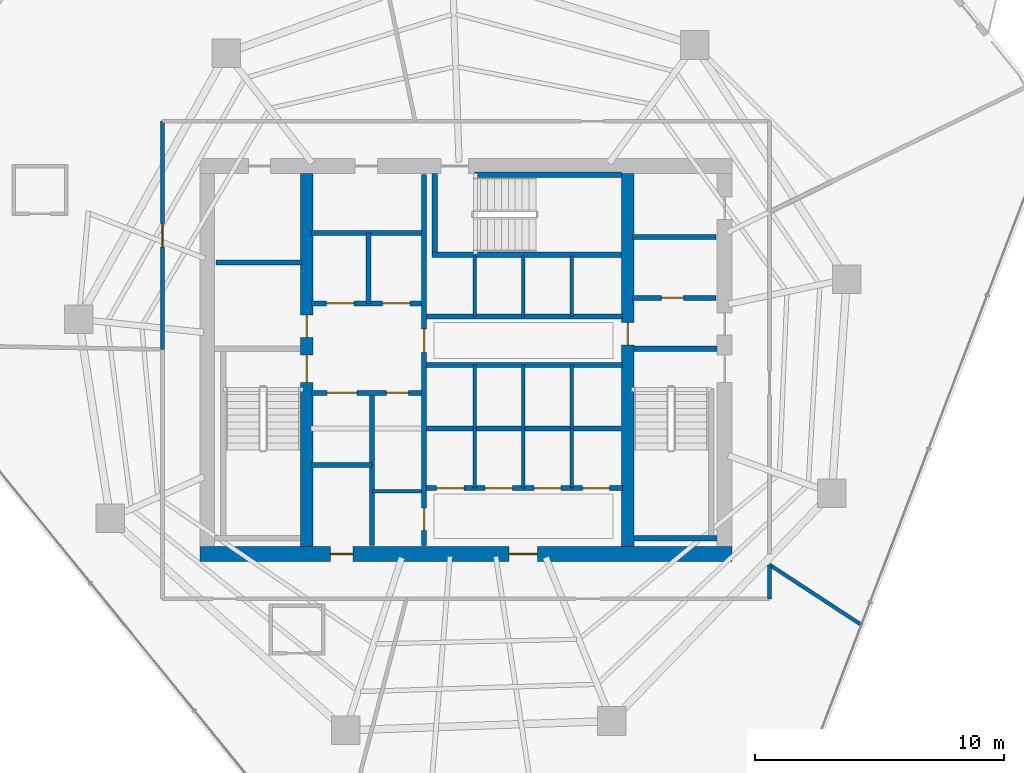
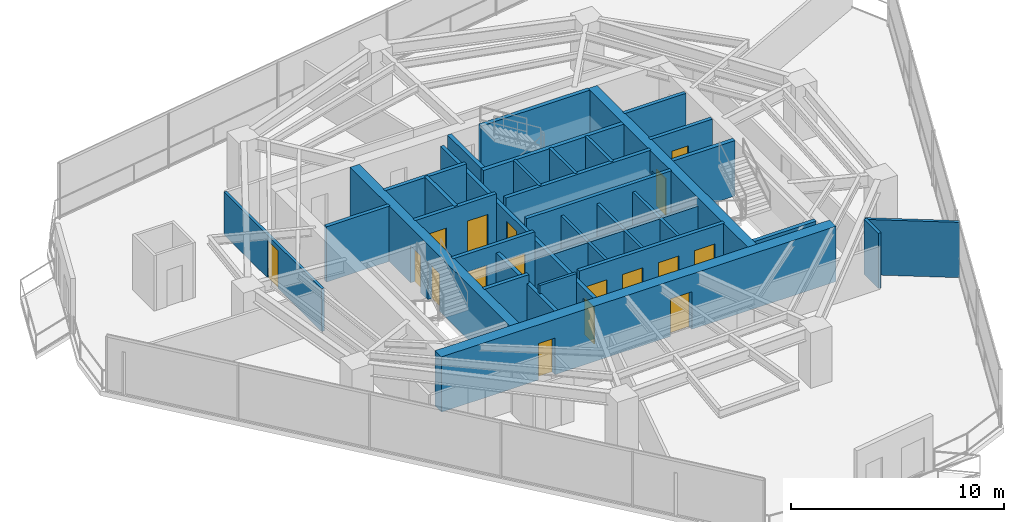
# One storey, part 24 of 27: 35 walls, 17 doors, 17 openings.
"""IFC4 building model written with IfcOpenShell, lengths in metres."""

from ifc_helpers import new_model, si_unit, direction, frame, frame_2d, origin, place, context, subcontext, project, spatial, rectangle, extrude, material, layer, layer_set, type_object, element, fill, save


model = new_model("IFC4")

# Units and contexts
model_context = context("Model", 3, precision=1e-05, world=origin(), true_north=direction((0.0, 1.0)))
body_context = subcontext(model_context, "Body", "Model", "MODEL_VIEW")
ifc_project = project(units=[si_unit("LENGTHUNIT", "METRE"), si_unit("AREAUNIT", "SQUARE_METRE"), si_unit("VOLUMEUNIT", "CUBIC_METRE"), si_unit("PLANEANGLEUNIT", "RADIAN"), si_unit("MASSUNIT", "GRAM", prefix="KILO")], contexts=[model_context])

# Site, building, storey
site_placement = place(None, origin())
site = spatial("IfcSite", under=ifc_project, at=site_placement, CompositionType="ELEMENT")
building_placement = place(site_placement, origin())
building = spatial("IfcBuilding", under=site, at=building_placement, Name="Qarnah Convention Tower", CompositionType="ELEMENT")
storey_placement = place(building_placement, frame((0.0, 0.0, 100.5)))
storey = spatial("IfcBuildingStorey", under=building, at=storey_placement, Name="L26", CompositionType="ELEMENT", Elevation=100.5)

# Wall, openings, doors
ifc_material_1 = material(Name="Concrete C60/75", Category="concrete")
ifc_layer_1 = layer(ifc_material_1, 0.60009765625)
ifc_layer_set_1 = layer_set([ifc_layer_1], Name="Concrete C60/75")
wall_type_1 = type_object("IfcWallType", Name="WL-CORE-600", PredefinedType="SHEAR", material=ifc_layer_set_1)
wall_1_placement = place(storey_placement, frame((26.5, 18.60009765625, 0.0), z_axis=(0.0, 0.0, 1.0), x_axis=(1.0, 0.0, 0.0)))
wall_1 = element("IfcWall", 1, at=wall_1_placement, inside=storey, type_object=wall_type_1, Name="L26 core south shear wall", PredefinedType="SHEAR", context=body_context, shape_type="SweptSolid", body=[
    extrude(rectangle(XDim=21.39990234375, YDim=0.60009765625, at=frame_2d((10.699951171875, 0.0))), origin(), (0.0, 0.0, 1.0), 3.169921875),
])
opening_1_placement = place(wall_1_placement, frame((12.425048828125, 0.0, 0.0)))
opening_1 = element("IfcOpeningElement", 2, at=opening_1_placement, cuts=wall_1, Name="Opening D-2607", PredefinedType="OPENING", context=body_context, shape_type="SweptSolid", body=[
    extrude(rectangle(XDim=1.14990234375, YDim=2.14990234375, at=frame_2d((0.574951171875, 1.074951171875))), frame((0.0, 0.31005859375, 0.0), z_axis=(0.0, -1.0, 0.0), x_axis=(1.0, 0.0, 0.0)), (0.0, 0.0, 1.0), 0.6201171875),
])
opening_2_placement = place(wall_1_placement, frame((5.25, 0.0, 0.0)))
opening_2 = element("IfcOpeningElement", 3, at=opening_2_placement, cuts=wall_1, Name="Opening D-2613", PredefinedType="OPENING", context=body_context, shape_type="SweptSolid", body=[
    extrude(rectangle(XDim=0.89990234375, YDim=2.10009765625, at=frame_2d((0.449951171875, 1.050048828125))), frame((0.0, 0.31005859375, 0.0), z_axis=(0.0, -1.0, 0.0), x_axis=(1.0, 0.0, 0.0)), (0.0, 0.0, 1.0), 0.6201171875),
])
ifc_material_2 = material(Name="Structural steel S355JR", Category="steel")
door_type_1 = type_object("IfcDoorType", Name="DT-LOBBY-1150", OperationType="NOTDEFINED", PredefinedType="DOOR", material=ifc_material_2)
door_1_placement = place(opening_1_placement, origin())
door_1 = element("IfcDoor", 4, at=door_1_placement, inside=storey, type_object=door_type_1, Name="Door D-2607", OperationType="SINGLE_SWING_RIGHT", OverallHeight=2.14990234375, OverallWidth=1.14990234375, PredefinedType="DOOR", context=body_context, shape_type="SweptSolid", body=[
    extrude(rectangle(XDim=1.14990234375, YDim=2.14990234375, at=frame_2d((0.574951171875, 1.074951171875))), frame((0.0, 0.02490234375, 0.0), z_axis=(0.0, -1.0, 0.0), x_axis=(1.0, 0.0, 0.0)), (0.0, 0.0, 1.0), 0.050048828125),
])
fill(opening_1, door_1)
door_type_2 = type_object("IfcDoorType", Name="DT-RISER-900", OperationType="NOTDEFINED", PredefinedType="DOOR", material=ifc_material_2)
door_2_placement = place(opening_2_placement, origin())
door_2 = element("IfcDoor", 5, at=door_2_placement, inside=storey, type_object=door_type_2, Name="Door D-2613", OperationType="SINGLE_SWING_RIGHT", OverallHeight=2.10009765625, OverallWidth=0.89990234375, PredefinedType="DOOR", context=body_context, shape_type="SweptSolid", body=[
    extrude(rectangle(XDim=0.89990234375, YDim=2.10009765625, at=frame_2d((0.449951171875, 1.050048828125))), frame((0.0, 0.02490234375, 0.0), z_axis=(0.0, -1.0, 0.0), x_axis=(1.0, 0.0, 0.0)), (0.0, 0.0, 1.0), 0.050048828125),
])
fill(opening_2, door_2)

ifc_layer_2 = layer(ifc_material_1, 0.5)
ifc_layer_set_2 = layer_set([ifc_layer_2], Name="Concrete C60/75")
wall_type_2 = type_object("IfcWallType", Name="WL-CORE-INT-400", PredefinedType="SHEAR", material=ifc_layer_set_2)
wall_2_placement = place(storey_placement, frame((30.800048828125, 18.89990234375, 0.0), z_axis=(0.0, 0.0, 1.0), x_axis=(0.0, 1.0, 0.0)))
wall_2 = element("IfcWall", 6, at=wall_2_placement, inside=storey, type_object=wall_type_2, Name="L26 core west spine shear wall", PredefinedType="SHEAR", context=body_context, shape_type="SweptSolid", body=[
    extrude(rectangle(XDim=15.0, YDim=0.5, at=frame_2d((7.5, 0.0))), origin(), (0.0, 0.0, 1.0), 3.169921875),
])
opening_3_placement = place(wall_2_placement, frame((6.60009765625, 0.0, 0.0)))
opening_3 = element("IfcOpeningElement", 7, at=opening_3_placement, cuts=wall_2, Name="Opening D-2601", PredefinedType="OPENING", context=body_context, shape_type="SweptSolid", body=[
    extrude(rectangle(XDim=1.10009765625, YDim=2.14990234375, at=frame_2d((0.550048828125, 1.074951171875))), frame((0.0, 0.260009765625, 0.0), z_axis=(0.0, -1.0, 0.0), x_axis=(1.0, 0.0, 0.0)), (0.0, 0.0, 1.0), 0.52001953125),
])
opening_4_placement = place(wall_2_placement, frame((8.39990234375, 0.0, 0.0)))
opening_4 = element("IfcOpeningElement", 8, at=opening_4_placement, cuts=wall_2, Name="Opening D-2608", PredefinedType="OPENING", context=body_context, shape_type="SweptSolid", body=[
    extrude(rectangle(XDim=0.89990234375, YDim=2.10009765625, at=frame_2d((0.449951171875, 1.050048828125))), frame((0.0, 0.260009765625, 0.0), z_axis=(0.0, -1.0, 0.0), x_axis=(1.0, 0.0, 0.0)), (0.0, 0.0, 1.0), 0.52001953125),
])
door_3_placement = place(opening_4_placement, origin())
door_3 = element("IfcDoor", 9, at=door_3_placement, inside=storey, type_object=door_type_2, Name="Door D-2608", OperationType="SINGLE_SWING_LEFT", OverallHeight=2.10009765625, OverallWidth=0.89990234375, PredefinedType="DOOR", context=body_context, shape_type="SweptSolid", body=[
    extrude(rectangle(XDim=0.89990234375, YDim=2.10009765625, at=frame_2d((0.449951171875, 1.050048828125))), frame((0.0, 0.02490234375, 0.0), z_axis=(0.0, -1.0, 0.0), x_axis=(1.0, 0.0, 0.0)), (0.0, 0.0, 1.0), 0.050048828125),
])
fill(opening_4, door_3)
door_type_3 = type_object("IfcDoorType", Name="DT-STAIR-1100", OperationType="NOTDEFINED", PredefinedType="DOOR", material=ifc_material_2)
door_4_placement = place(opening_3_placement, origin())
door_4 = element("IfcDoor", 10, at=door_4_placement, inside=storey, type_object=door_type_3, Name="Door D-2601", OperationType="SINGLE_SWING_RIGHT", OverallHeight=2.14990234375, OverallWidth=1.10009765625, PredefinedType="DOOR", context=body_context, shape_type="SweptSolid", body=[
    extrude(rectangle(XDim=1.10009765625, YDim=2.14990234375, at=frame_2d((0.550048828125, 1.074951171875))), frame((0.0, 0.02490234375, 0.0), z_axis=(0.0, -1.0, 0.0), x_axis=(1.0, 0.0, 0.0)), (0.0, 0.0, 1.0), 0.050048828125),
])
fill(opening_3, door_4)

# Wall, opening, door
wall_3_placement = place(storey_placement, frame((43.699951171875, 18.89990234375, 0.0), z_axis=(0.0, 0.0, 1.0), x_axis=(0.0, 1.0, 0.0)))
wall_3 = element("IfcWall", 11, at=wall_3_placement, inside=storey, type_object=wall_type_2, Name="L26 core east spine shear wall", PredefinedType="SHEAR", context=body_context, shape_type="SweptSolid", body=[
    extrude(rectangle(XDim=15.0, YDim=0.5, at=frame_2d((7.5, 0.0))), origin(), (0.0, 0.0, 1.0), 3.169921875),
])
opening_5_placement = place(wall_3_placement, frame((8.10009765625, 0.0, 0.0)))
opening_5 = element("IfcOpeningElement", 12, at=opening_5_placement, cuts=wall_3, Name="Opening D-2605", PredefinedType="OPENING", context=body_context, shape_type="SweptSolid", body=[
    extrude(rectangle(XDim=0.89990234375, YDim=2.10009765625, at=frame_2d((0.449951171875, 1.050048828125))), frame((0.0, 0.260009765625, 0.0), z_axis=(0.0, -1.0, 0.0), x_axis=(1.0, 0.0, 0.0)), (0.0, 0.0, 1.0), 0.52001953125),
])
door_5_placement = place(opening_5_placement, origin())
door_5 = element("IfcDoor", 13, at=door_5_placement, inside=storey, type_object=door_type_2, Name="Door D-2605", OperationType="SINGLE_SWING_RIGHT", OverallHeight=2.10009765625, OverallWidth=0.89990234375, PredefinedType="DOOR", context=body_context, shape_type="SweptSolid", body=[
    extrude(rectangle(XDim=0.89990234375, YDim=2.10009765625, at=frame_2d((0.449951171875, 1.050048828125))), frame((0.0, 0.02490234375, 0.0), z_axis=(0.0, -1.0, 0.0), x_axis=(1.0, 0.0, 0.0)), (0.0, 0.0, 1.0), 0.050048828125),
])
fill(opening_5, door_5)

# Wall
ifc_material_3 = material(Name="Concrete C45/55", Category="concrete")
ifc_layer_3 = layer(ifc_material_3, 0.199951171875)
ifc_layer_set_3 = layer_set([ifc_layer_3], Name="Concrete C45/55")
wall_type_3 = type_object("IfcWallType", Name="WL-CORE-PART-200", PredefinedType="SOLIDWALL", material=ifc_layer_set_3)
wall_4_placement = place(storey_placement, frame((27.14990234375, 30.320068359375, 0.0), z_axis=(0.0, 0.0, 1.0), x_axis=(1.0, 0.0, 0.0)))
element("IfcWall", 14, at=wall_4_placement, inside=storey, type_object=wall_type_3, Name="L26 interior wall IW-L26-ELRN", PredefinedType="SOLIDWALL", context=body_context, shape_type="SweptSolid", body=[
    extrude(rectangle(XDim=3.4501953125, YDim=0.199951171875, at=frame_2d((1.72509765625, 0.0))), origin(), (0.0, 0.0, 1.0), 3.169921875),
])

# Wall, opening, door
wall_5_placement = place(storey_placement, frame((43.89990234375, 28.89990234375, 0.0), z_axis=(0.0, 0.0, 1.0), x_axis=(1.0, 0.0, 0.0)))
wall_5 = element("IfcWall", 15, at=wall_5_placement, inside=storey, type_object=wall_type_3, Name="L26 interior wall IW-L26-EVSTN", PredefinedType="SOLIDWALL", context=body_context, shape_type="SweptSolid", body=[
    extrude(rectangle(XDim=3.35009765625, YDim=0.199951171875, at=frame_2d((1.675048828125, 0.0))), origin(), (0.0, 0.0, 1.0), 3.169921875),
])
opening_6_placement = place(wall_5_placement, frame((1.14990234375, 0.0, 0.0)))
opening_6 = element("IfcOpeningElement", 16, at=opening_6_placement, cuts=wall_5, Name="Opening D-2611", PredefinedType="OPENING", context=body_context, shape_type="SweptSolid", body=[
    extrude(rectangle(XDim=0.89990234375, YDim=2.10009765625, at=frame_2d((0.449951171875, 1.050048828125))), frame((0.0, 0.10986328125, 0.0), z_axis=(0.0, -1.0, 0.0), x_axis=(1.0, 0.0, 0.0)), (0.0, 0.0, 1.0), 0.219970703125),
])
door_6_placement = place(opening_6_placement, origin())
door_6 = element("IfcDoor", 17, at=door_6_placement, inside=storey, type_object=door_type_2, Name="Door D-2611", OperationType="SINGLE_SWING_RIGHT", OverallHeight=2.10009765625, OverallWidth=0.89990234375, PredefinedType="DOOR", context=body_context, shape_type="SweptSolid", body=[
    extrude(rectangle(XDim=0.89990234375, YDim=2.10009765625, at=frame_2d((0.449951171875, 1.050048828125))), frame((0.0, 0.02490234375, 0.0), z_axis=(0.0, -1.0, 0.0), x_axis=(1.0, 0.0, 0.0)), (0.0, 0.0, 1.0), 0.050048828125),
])
fill(opening_6, door_6)

# Wall
wall_6_placement = place(storey_placement, frame((43.89990234375, 31.35009765625, 0.0), z_axis=(0.0, 0.0, 1.0), x_axis=(1.0, 0.0, 0.0)))
element("IfcWall", 18, at=wall_6_placement, inside=storey, type_object=wall_type_3, Name="L26 interior wall IW-L26-WTRN", PredefinedType="SOLIDWALL", context=body_context, shape_type="SweptSolid", body=[
    extrude(rectangle(XDim=3.35009765625, YDim=0.199951171875, at=frame_2d((1.675048828125, 0.0))), origin(), (0.0, 0.0, 1.0), 3.169921875),
])

# Wall, openings, doors
wall_7_placement = place(storey_placement, frame((35.52001953125, 18.949951171875, 0.0), z_axis=(0.0, 0.0, 1.0), x_axis=(0.0, 1.0, 0.0)))
wall_7 = element("IfcWall", 19, at=wall_7_placement, inside=storey, type_object=wall_type_3, Name="L26 interior wall IW-L26-CSP", PredefinedType="SOLIDWALL", context=body_context, shape_type="SweptSolid", body=[
    extrude(rectangle(XDim=14.900146484375, YDim=0.199951171875, at=frame_2d((7.4501953125, 0.0))), origin(), (0.0, 0.0, 1.0), 2.69091796875),
])
opening_7_placement = place(wall_7_placement, frame((7.7548828125, 0.0, 0.0)))
opening_7 = element("IfcOpeningElement", 20, at=opening_7_placement, cuts=wall_7, Name="Opening D-2604", PredefinedType="OPENING", context=body_context, shape_type="SweptSolid", body=[
    extrude(rectangle(XDim=0.949951171875, YDim=2.14990234375, at=frame_2d((0.47509765625, 1.074951171875))), frame((0.0, 0.10986328125, 0.0), z_axis=(0.0, -1.0, 0.0), x_axis=(1.0, 0.0, 0.0)), (0.0, 0.0, 1.0), 0.219970703125),
])
opening_8_placement = place(wall_7_placement, frame((0.60009765625, 0.0, 0.0)))
opening_8 = element("IfcOpeningElement", 21, at=opening_8_placement, cuts=wall_7, Name="Opening D-2614", PredefinedType="OPENING", context=body_context, shape_type="SweptSolid", body=[
    extrude(rectangle(XDim=0.89990234375, YDim=2.10009765625, at=frame_2d((0.449951171875, 1.050048828125))), frame((0.0, 0.10986328125, 0.0), z_axis=(0.0, -1.0, 0.0), x_axis=(1.0, 0.0, 0.0)), (0.0, 0.0, 1.0), 0.219970703125),
])
ifc_material_4 = material(Name="Oak timber veneer", Category="wood")
door_type_4 = type_object("IfcDoorType", Name="DT-HOTEL-950", OperationType="NOTDEFINED", PredefinedType="DOOR", material=ifc_material_4)
door_7_placement = place(opening_7_placement, origin())
door_7 = element("IfcDoor", 22, at=door_7_placement, inside=storey, type_object=door_type_4, Name="Door D-2604", OperationType="SINGLE_SWING_LEFT", OverallHeight=2.14990234375, OverallWidth=0.949951171875, PredefinedType="DOOR", context=body_context, shape_type="SweptSolid", body=[
    extrude(rectangle(XDim=0.949951171875, YDim=2.14990234375, at=frame_2d((0.47509765625, 1.074951171875))), frame((0.0, 0.02490234375, 0.0), z_axis=(0.0, -1.0, 0.0), x_axis=(1.0, 0.0, 0.0)), (0.0, 0.0, 1.0), 0.050048828125),
])
fill(opening_7, door_7)
door_8_placement = place(opening_8_placement, origin())
door_8 = element("IfcDoor", 23, at=door_8_placement, inside=storey, type_object=door_type_2, Name="Door D-2614", OperationType="SINGLE_SWING_LEFT", OverallHeight=2.10009765625, OverallWidth=0.89990234375, PredefinedType="DOOR", context=body_context, shape_type="SweptSolid", body=[
    extrude(rectangle(XDim=0.89990234375, YDim=2.10009765625, at=frame_2d((0.449951171875, 1.050048828125))), frame((0.0, 0.02490234375, 0.0), z_axis=(0.0, -1.0, 0.0), x_axis=(1.0, 0.0, 0.0)), (0.0, 0.0, 1.0), 0.050048828125),
])
fill(opening_8, door_8)

wall_8_placement = place(storey_placement, frame((31.0, 28.679931640625, 0.0), z_axis=(0.0, 0.0, 1.0), x_axis=(1.0, 0.0, 0.0)))
wall_8 = element("IfcWall", 24, at=wall_8_placement, inside=storey, type_object=wall_type_3, Name="L26 interior wall IW-L26-FFLS", PredefinedType="SOLIDWALL", context=body_context, shape_type="SweptSolid", body=[
    extrude(rectangle(XDim=4.419921875, YDim=0.199951171875, at=frame_2d((2.2099609375, 0.0))), origin(), (0.0, 0.0, 1.0), 3.169921875),
])
opening_9_placement = place(wall_8_placement, frame((0.60009765625, 0.0, 0.0)))
opening_9 = element("IfcOpeningElement", 25, at=opening_9_placement, cuts=wall_8, Name="Opening LD-2601", PredefinedType="OPENING", context=body_context, shape_type="SweptSolid", body=[
    extrude(rectangle(XDim=1.10009765625, YDim=2.14990234375, at=frame_2d((0.550048828125, 1.074951171875))), frame((0.0, 0.10986328125, 0.0), z_axis=(0.0, -1.0, 0.0), x_axis=(1.0, 0.0, 0.0)), (0.0, 0.0, 1.0), 0.219970703125),
])
opening_10_placement = place(wall_8_placement, frame((2.85009765625, 0.0, 0.0)))
opening_10 = element("IfcOpeningElement", 26, at=opening_10_placement, cuts=wall_8, Name="Opening LD-2602", PredefinedType="OPENING", context=body_context, shape_type="SweptSolid", body=[
    extrude(rectangle(XDim=1.10009765625, YDim=2.14990234375, at=frame_2d((0.550048828125, 1.074951171875))), frame((0.0, 0.10986328125, 0.0), z_axis=(0.0, -1.0, 0.0), x_axis=(1.0, 0.0, 0.0)), (0.0, 0.0, 1.0), 0.219970703125),
])
door_type_5 = type_object("IfcDoorType", Name="DT-LIFT-1100", OperationType="SLIDING_TO_LEFT", PredefinedType="DOOR", material=ifc_material_2)
door_9_placement = place(opening_9_placement, origin())
door_9 = element("IfcDoor", 27, at=door_9_placement, inside=storey, type_object=door_type_5, Name="Door LD-2601", OperationType="SLIDING_TO_LEFT", OverallHeight=2.14990234375, OverallWidth=1.10009765625, PredefinedType="DOOR", context=body_context, shape_type="SweptSolid", body=[
    extrude(rectangle(XDim=1.10009765625, YDim=2.14990234375, at=frame_2d((0.550048828125, 1.074951171875))), frame((0.0, 0.02490234375, 0.0), z_axis=(0.0, -1.0, 0.0), x_axis=(1.0, 0.0, 0.0)), (0.0, 0.0, 1.0), 0.050048828125),
])
fill(opening_9, door_9)
door_10_placement = place(opening_10_placement, origin())
door_10 = element("IfcDoor", 28, at=door_10_placement, inside=storey, type_object=door_type_5, Name="Door LD-2602", OperationType="SLIDING_TO_LEFT", OverallHeight=2.14990234375, OverallWidth=1.10009765625, PredefinedType="DOOR", context=body_context, shape_type="SweptSolid", body=[
    extrude(rectangle(XDim=1.10009765625, YDim=2.14990234375, at=frame_2d((0.550048828125, 1.074951171875))), frame((0.0, 0.02490234375, 0.0), z_axis=(0.0, -1.0, 0.0), x_axis=(1.0, 0.0, 0.0)), (0.0, 0.0, 1.0), 0.050048828125),
])
fill(opening_10, door_10)

# Walls
wall_9_placement = place(storey_placement, frame((31.0, 31.5, 0.0), z_axis=(0.0, 0.0, 1.0), x_axis=(1.0, 0.0, 0.0)))
element("IfcWall", 29, at=wall_9_placement, inside=storey, type_object=wall_type_3, Name="L26 interior wall IW-L26-FFLN", PredefinedType="SOLIDWALL", context=body_context, shape_type="SweptSolid", body=[
    extrude(rectangle(XDim=4.419921875, YDim=0.199951171875, at=frame_2d((2.2099609375, 0.0))), origin(), (0.0, 0.0, 1.0), 3.169921875),
])
wall_10_placement = place(storey_placement, frame((33.280029296875, 28.679931640625, 0.0), z_axis=(0.0, 0.0, 1.0), x_axis=(0.0, 1.0, 0.0)))
element("IfcWall", 30, at=wall_10_placement, inside=storey, type_object=wall_type_3, Name="L26 interior wall IW-L26-FFLM", PredefinedType="SOLIDWALL", context=body_context, shape_type="SweptSolid", body=[
    extrude(rectangle(XDim=2.820068359375, YDim=0.199951171875, at=frame_2d((1.41015625, 0.0))), origin(), (0.0, 0.0, 1.0), 3.169921875),
])

# Wall, openings, doors
wall_11_placement = place(storey_placement, frame((31.0, 25.080078125, 0.0), z_axis=(0.0, 0.0, 1.0), x_axis=(1.0, 0.0, 0.0)))
wall_11 = element("IfcWall", 31, at=wall_11_placement, inside=storey, type_object=wall_type_3, Name="L26 interior wall IW-L26-FFLBS", PredefinedType="SOLIDWALL", context=body_context, shape_type="SweptSolid", body=[
    extrude(rectangle(XDim=4.419921875, YDim=0.199951171875, at=frame_2d((2.2099609375, 0.0))), origin(), (0.0, 0.0, 1.0), 3.169921875),
])
opening_11_placement = place(wall_11_placement, frame((3.0, 0.0, 0.0)))
opening_11 = element("IfcOpeningElement", 32, at=opening_11_placement, cuts=wall_11, Name="Opening D-2615", PredefinedType="OPENING", context=body_context, shape_type="SweptSolid", body=[
    extrude(rectangle(XDim=0.89990234375, YDim=2.10009765625, at=frame_2d((0.449951171875, 1.050048828125))), frame((0.0, 0.10986328125, 0.0), z_axis=(0.0, -1.0, 0.0), x_axis=(1.0, 0.0, 0.0)), (0.0, 0.0, 1.0), 0.219970703125),
])
opening_12_placement = place(wall_11_placement, frame((0.6201171875, 0.0, 0.0)))
opening_12 = element("IfcOpeningElement", 33, at=opening_12_placement, cuts=wall_11, Name="Opening LD-2603", PredefinedType="OPENING", context=body_context, shape_type="SweptSolid", body=[
    extrude(rectangle(XDim=1.199951171875, YDim=2.14990234375, at=frame_2d((0.60009765625, 1.074951171875))), frame((0.0, 0.10986328125, 0.0), z_axis=(0.0, -1.0, 0.0), x_axis=(1.0, 0.0, 0.0)), (0.0, 0.0, 1.0), 0.219970703125),
])
door_type_6 = type_object("IfcDoorType", Name="DT-LIFT-1200", OperationType="SLIDING_TO_LEFT", PredefinedType="DOOR", material=ifc_material_2)
door_11_placement = place(opening_12_placement, origin())
door_11 = element("IfcDoor", 34, at=door_11_placement, inside=storey, type_object=door_type_6, Name="Door LD-2603", OperationType="SLIDING_TO_LEFT", OverallHeight=2.14990234375, OverallWidth=1.199951171875, PredefinedType="DOOR", context=body_context, shape_type="SweptSolid", body=[
    extrude(rectangle(XDim=1.199951171875, YDim=2.14990234375, at=frame_2d((0.60009765625, 1.074951171875))), frame((0.0, 0.02490234375, 0.0), z_axis=(0.0, -1.0, 0.0), x_axis=(1.0, 0.0, 0.0)), (0.0, 0.0, 1.0), 0.050048828125),
])
fill(opening_12, door_11)
door_12_placement = place(opening_11_placement, origin())
door_12 = element("IfcDoor", 35, at=door_12_placement, inside=storey, type_object=door_type_2, Name="Door D-2615", OperationType="SINGLE_SWING_RIGHT", OverallHeight=2.10009765625, OverallWidth=0.89990234375, PredefinedType="DOOR", context=body_context, shape_type="SweptSolid", body=[
    extrude(rectangle(XDim=0.89990234375, YDim=2.10009765625, at=frame_2d((0.449951171875, 1.050048828125))), frame((0.0, 0.02490234375, 0.0), z_axis=(0.0, -1.0, 0.0), x_axis=(1.0, 0.0, 0.0)), (0.0, 0.0, 1.0), 0.050048828125),
])
fill(opening_11, door_12)

# Walls
wall_12_placement = place(storey_placement, frame((33.419921875, 18.949951171875, 0.0), z_axis=(0.0, 0.0, 1.0), x_axis=(0.0, 1.0, 0.0)))
element("IfcWall", 36, at=wall_12_placement, inside=storey, type_object=wall_type_3, Name="L26 interior wall IW-L26-SVLE", PredefinedType="SOLIDWALL", context=body_context, shape_type="SweptSolid", body=[
    extrude(rectangle(XDim=6.130126953125, YDim=0.199951171875, at=frame_2d((3.06494140625, 0.0))), origin(), (0.0, 0.0, 1.0), 2.69091796875),
])
wall_13_placement = place(storey_placement, frame((31.0, 22.179931640625, 0.0), z_axis=(0.0, 0.0, 1.0), x_axis=(1.0, 0.0, 0.0)))
element("IfcWall", 37, at=wall_13_placement, inside=storey, type_object=wall_type_3, Name="L26 interior wall IW-L26-SVLS", PredefinedType="SOLIDWALL", context=body_context, shape_type="SweptSolid", body=[
    extrude(rectangle(XDim=2.419921875, YDim=0.199951171875, at=frame_2d((1.2099609375, 0.0))), origin(), (0.0, 0.0, 1.0), 3.169921875),
])
for number, where, z_axis, x_axis, name in (
    (38, (35.6201171875, 28.14990234375, 0.0), (0.0, 0.0, 1.0), (1.0, 0.0, 0.0), "L26 interior wall IW-L26-PHS"),
    (39, (35.6201171875, 26.199951171875, 0.0), (0.0, 0.0, 1.0), (1.0, 0.0, 0.0), "L26 interior wall IW-L26-PMN"),
):
    element("IfcWall", number, at=place(storey_placement, frame(where, z_axis=z_axis, x_axis=x_axis)), inside=storey, type_object=wall_type_3, Name=name, PredefinedType="SOLIDWALL", context=body_context, shape_type="SweptSolid", body=[
        extrude(rectangle(XDim=7.8798828125, YDim=0.199951171875, at=frame_2d((3.93994140625, 0.0))), origin(), (0.0, 0.0, 1.0), 3.169921875),
    ])
wall_14_placement = place(storey_placement, frame((35.6201171875, 23.64990234375, 0.0), z_axis=(0.0, 0.0, 1.0), x_axis=(1.0, 0.0, 0.0)))
element("IfcWall", 40, at=wall_14_placement, inside=storey, type_object=wall_type_3, Name="L26 interior wall IW-L26-PMPL", PredefinedType="SOLIDWALL", context=body_context, shape_type="SweptSolid", body=[
    extrude(rectangle(XDim=7.8798828125, YDim=0.199951171875, at=frame_2d((3.93994140625, 0.0))), origin(), (0.0, 0.0, 1.0), 2.69091796875),
])

# Wall, openings, doors
wall_15_placement = place(storey_placement, frame((35.6201171875, 21.25, 0.0), z_axis=(0.0, 0.0, 1.0), x_axis=(1.0, 0.0, 0.0)))
wall_15 = element("IfcWall", 41, at=wall_15_placement, inside=storey, type_object=wall_type_3, Name="L26 interior wall IW-L26-PLS", PredefinedType="SOLIDWALL", context=body_context, shape_type="SweptSolid", body=[
    extrude(rectangle(XDim=7.8798828125, YDim=0.199951171875, at=frame_2d((3.93994140625, 0.0))), origin(), (0.0, 0.0, 1.0), 3.169921875),
])
opening_13_placement = place(wall_15_placement, frame((0.405029296875, 0.0, 0.0)))
opening_13 = element("IfcOpeningElement", 42, at=opening_13_placement, cuts=wall_15, Name="Opening LD-2604", PredefinedType="OPENING", context=body_context, shape_type="SweptSolid", body=[
    extrude(rectangle(XDim=1.10009765625, YDim=2.14990234375, at=frame_2d((0.550048828125, 1.074951171875))), frame((0.0, 0.10986328125, 0.0), z_axis=(0.0, -1.0, 0.0), x_axis=(1.0, 0.0, 0.0)), (0.0, 0.0, 1.0), 0.219970703125),
])
opening_14_placement = place(wall_15_placement, frame((2.35498046875, 0.0, 0.0)))
opening_14 = element("IfcOpeningElement", 43, at=opening_14_placement, cuts=wall_15, Name="Opening LD-2605", PredefinedType="OPENING", context=body_context, shape_type="SweptSolid", body=[
    extrude(rectangle(XDim=1.10009765625, YDim=2.14990234375, at=frame_2d((0.550048828125, 1.074951171875))), frame((0.0, 0.10986328125, 0.0), z_axis=(0.0, -1.0, 0.0), x_axis=(1.0, 0.0, 0.0)), (0.0, 0.0, 1.0), 0.219970703125),
])
opening_15_placement = place(wall_15_placement, frame((4.304931640625, 0.0, 0.0)))
opening_15 = element("IfcOpeningElement", 44, at=opening_15_placement, cuts=wall_15, Name="Opening LD-2606", PredefinedType="OPENING", context=body_context, shape_type="SweptSolid", body=[
    extrude(rectangle(XDim=1.10009765625, YDim=2.14990234375, at=frame_2d((0.550048828125, 1.074951171875))), frame((0.0, 0.10986328125, 0.0), z_axis=(0.0, -1.0, 0.0), x_axis=(1.0, 0.0, 0.0)), (0.0, 0.0, 1.0), 0.219970703125),
])
opening_16_placement = place(wall_15_placement, frame((6.2548828125, 0.0, 0.0)))
opening_16 = element("IfcOpeningElement", 45, at=opening_16_placement, cuts=wall_15, Name="Opening LD-2607", PredefinedType="OPENING", context=body_context, shape_type="SweptSolid", body=[
    extrude(rectangle(XDim=1.10009765625, YDim=2.14990234375, at=frame_2d((0.550048828125, 1.074951171875))), frame((0.0, 0.10986328125, 0.0), z_axis=(0.0, -1.0, 0.0), x_axis=(1.0, 0.0, 0.0)), (0.0, 0.0, 1.0), 0.219970703125),
])
door_13_placement = place(opening_13_placement, origin())
door_13 = element("IfcDoor", 46, at=door_13_placement, inside=storey, type_object=door_type_5, Name="Door LD-2604", OperationType="SLIDING_TO_LEFT", OverallHeight=2.14990234375, OverallWidth=1.10009765625, PredefinedType="DOOR", context=body_context, shape_type="SweptSolid", body=[
    extrude(rectangle(XDim=1.10009765625, YDim=2.14990234375, at=frame_2d((0.550048828125, 1.074951171875))), frame((0.0, 0.02490234375, 0.0), z_axis=(0.0, -1.0, 0.0), x_axis=(1.0, 0.0, 0.0)), (0.0, 0.0, 1.0), 0.050048828125),
])
fill(opening_13, door_13)
door_14_placement = place(opening_14_placement, origin())
door_14 = element("IfcDoor", 47, at=door_14_placement, inside=storey, type_object=door_type_5, Name="Door LD-2605", OperationType="SLIDING_TO_LEFT", OverallHeight=2.14990234375, OverallWidth=1.10009765625, PredefinedType="DOOR", context=body_context, shape_type="SweptSolid", body=[
    extrude(rectangle(XDim=1.10009765625, YDim=2.14990234375, at=frame_2d((0.550048828125, 1.074951171875))), frame((0.0, 0.02490234375, 0.0), z_axis=(0.0, -1.0, 0.0), x_axis=(1.0, 0.0, 0.0)), (0.0, 0.0, 1.0), 0.050048828125),
])
fill(opening_14, door_14)
door_15_placement = place(opening_15_placement, origin())
door_15 = element("IfcDoor", 48, at=door_15_placement, inside=storey, type_object=door_type_5, Name="Door LD-2606", OperationType="SLIDING_TO_LEFT", OverallHeight=2.14990234375, OverallWidth=1.10009765625, PredefinedType="DOOR", context=body_context, shape_type="SweptSolid", body=[
    extrude(rectangle(XDim=1.10009765625, YDim=2.14990234375, at=frame_2d((0.550048828125, 1.074951171875))), frame((0.0, 0.02490234375, 0.0), z_axis=(0.0, -1.0, 0.0), x_axis=(1.0, 0.0, 0.0)), (0.0, 0.0, 1.0), 0.050048828125),
])
fill(opening_15, door_15)
door_16_placement = place(opening_16_placement, origin())
door_16 = element("IfcDoor", 49, at=door_16_placement, inside=storey, type_object=door_type_5, Name="Door LD-2607", OperationType="SLIDING_TO_LEFT", OverallHeight=2.14990234375, OverallWidth=1.10009765625, PredefinedType="DOOR", context=body_context, shape_type="SweptSolid", body=[
    extrude(rectangle(XDim=1.10009765625, YDim=2.14990234375, at=frame_2d((0.550048828125, 1.074951171875))), frame((0.0, 0.02490234375, 0.0), z_axis=(0.0, -1.0, 0.0), x_axis=(1.0, 0.0, 0.0)), (0.0, 0.0, 1.0), 0.050048828125),
])
fill(opening_16, door_16)

# Walls
ifc_layer_4 = layer(ifc_material_1, 0.219970703125)
ifc_layer_set_4 = layer_set([ifc_layer_4], Name="Concrete C60/75")
wall_type_4 = type_object("IfcWallType", Name="WL-CORE-STAIR-220", PredefinedType="SHEAR", material=ifc_layer_set_4)
for number, where, z_axis, x_axis, name in (
    (50, (43.949951171875, 26.860107421875, 0.0), (0.0, 0.0, 1.0), (1.0, 0.0, 0.0), "L26 stair shaft shear wall SW-L26-ST2N"),
    (51, (43.949951171875, 19.239990234375, 0.0), (0.0, 0.0, 1.0), (1.0, 0.0, 0.0), "L26 stair shaft shear wall SW-L26-ST2S"),
):
    element("IfcWall", number, at=place(storey_placement, frame(where, z_axis=z_axis, x_axis=x_axis)), inside=storey, type_object=wall_type_4, Name=name, PredefinedType="SHEAR", context=body_context, shape_type="SweptSolid", body=[
        extrude(rectangle(XDim=3.35009765625, YDim=0.219970703125, at=frame_2d((1.675048828125, 0.0))), origin(), (0.0, 0.0, 1.0), 3.169921875),
    ])
wall_16_placement = place(storey_placement, frame((35.840087890625, 30.639892578125, 0.0), z_axis=(0.0, 0.0, 1.0), x_axis=(1.0, 0.0, 0.0)))
element("IfcWall", 52, at=wall_16_placement, inside=storey, type_object=wall_type_4, Name="L26 stair shaft shear wall SW-L26-ST3S", PredefinedType="SHEAR", context=body_context, shape_type="SweptSolid", body=[
    extrude(rectangle(XDim=7.60986328125, YDim=0.219970703125, at=frame_2d((3.804931640625, 0.0))), origin(), (0.0, 0.0, 1.0), 3.169921875),
])
wall_17_placement = place(storey_placement, frame((35.93994140625, 30.75, 0.0), z_axis=(0.0, 0.0, 1.0), x_axis=(0.0, 1.0, 0.0)))
element("IfcWall", 53, at=wall_17_placement, inside=storey, type_object=wall_type_4, Name="L26 stair shaft shear wall SW-L26-ST3W", PredefinedType="SHEAR", context=body_context, shape_type="SweptSolid", body=[
    extrude(rectangle(XDim=3.14990234375, YDim=0.219970703125, at=frame_2d((1.574951171875, 0.0))), origin(), (0.0, 0.0, 1.0), 3.169921875),
])
wall_18_placement = place(storey_placement, frame((37.550048828125, 33.840087890625, 0.0), z_axis=(0.0, 0.0, 1.0), x_axis=(1.0, 0.0, 0.0)))
element("IfcWall", 54, at=wall_18_placement, inside=storey, type_object=wall_type_4, Name="L26 stair shaft shear wall SW-L26-ST3N", PredefinedType="SHEAR", context=body_context, shape_type="SweptSolid", body=[
    extrude(rectangle(XDim=5.89990234375, YDim=0.219970703125, at=frame_2d((2.949951171875, 0.0))), origin(), (0.0, 0.0, 1.0), 3.169921875),
])
ifc_material_5 = material(Name="Gypsum partition board")
ifc_layer_5 = layer(ifc_material_5, 0.14990234375)
ifc_layer_set_5 = layer_set([ifc_layer_5], Name="Gypsum partition board")
wall_type_5 = type_object("IfcWallType", Name="WL-SUITE-150", PredefinedType="PARTITIONING", material=ifc_layer_set_5)
wall_19_placement = place(storey_placement, frame((33.419921875, 21.1201171875, 0.0), z_axis=(0.0, 0.0, 1.0), x_axis=(1.0, 0.0, 0.0)))
element("IfcWall", 55, at=wall_19_placement, inside=storey, type_object=wall_type_5, Name="L26 interior wall IW-L26-CSV1", PredefinedType="PARTITIONING", context=body_context, shape_type="SweptSolid", body=[
    extrude(rectangle(XDim=2.0, YDim=0.14990234375, at=frame_2d((1.0, 0.0))), origin(), (0.0, 0.0, 1.0), 3.169921875),
])
for number, where, z_axis, x_axis, name in (
    (56, (37.550048828125, 28.14990234375, 0.0), (0.0, 0.0, 1.0), (0.0, 1.0, 0.0), "L26 interior wall IW-L26-PHD1"),
    (57, (39.5, 28.14990234375, 0.0), (0.0, 0.0, 1.0), (0.0, 1.0, 0.0), "L26 interior wall IW-L26-PHD2"),
    (58, (41.449951171875, 28.14990234375, 0.0), (0.0, 0.0, 1.0), (0.0, 1.0, 0.0), "L26 interior wall IW-L26-PHD3"),
):
    element("IfcWall", number, at=place(storey_placement, frame(where, z_axis=z_axis, x_axis=x_axis)), inside=storey, type_object=wall_type_5, Name=name, PredefinedType="PARTITIONING", context=body_context, shape_type="SweptSolid", body=[
        extrude(rectangle(XDim=2.43017578125, YDim=0.14990234375, at=frame_2d((1.215087890625, 0.0))), origin(), (0.0, 0.0, 1.0), 3.169921875),
    ])
for number, where, z_axis, x_axis, name in (
    (59, (37.550048828125, 23.64990234375, 0.0), (0.0, 0.0, 1.0), (0.0, 1.0, 0.0), "L26 interior wall IW-L26-PMD1"),
    (60, (39.5, 23.64990234375, 0.0), (0.0, 0.0, 1.0), (0.0, 1.0, 0.0), "L26 interior wall IW-L26-PMD2"),
    (61, (41.449951171875, 23.64990234375, 0.0), (0.0, 0.0, 1.0), (0.0, 1.0, 0.0), "L26 interior wall IW-L26-PMD3"),
):
    element("IfcWall", number, at=place(storey_placement, frame(where, z_axis=z_axis, x_axis=x_axis)), inside=storey, type_object=wall_type_5, Name=name, PredefinedType="PARTITIONING", context=body_context, shape_type="SweptSolid", body=[
        extrude(rectangle(XDim=2.550048828125, YDim=0.14990234375, at=frame_2d((1.27490234375, 0.0))), origin(), (0.0, 0.0, 1.0), 2.69091796875),
    ])
for number, where, z_axis, x_axis, name in (
    (62, (37.550048828125, 21.25, 0.0), (0.0, 0.0, 1.0), (0.0, 1.0, 0.0), "L26 interior wall IW-L26-PLD1"),
    (63, (39.5, 21.25, 0.0), (0.0, 0.0, 1.0), (0.0, 1.0, 0.0), "L26 interior wall IW-L26-PLD2"),
    (64, (41.449951171875, 21.25, 0.0), (0.0, 0.0, 1.0), (0.0, 1.0, 0.0), "L26 interior wall IW-L26-PLD3"),
):
    element("IfcWall", number, at=place(storey_placement, frame(where, z_axis=z_axis, x_axis=x_axis)), inside=storey, type_object=wall_type_5, Name=name, PredefinedType="PARTITIONING", context=body_context, shape_type="SweptSolid", body=[
        extrude(rectangle(XDim=2.39990234375, YDim=0.14990234375, at=frame_2d((1.199951171875, 0.0))), origin(), (0.0, 0.0, 1.0), 2.69091796875),
    ])

# Wall, opening, door
wall_20_placement = place(storey_placement, frame((25.0, 26.825927734375, 0.0), z_axis=(0.0, 0.0, 1.0), x_axis=(0.0, 1.0, 0.0)))
wall_20 = element("IfcWall", 65, at=wall_20_placement, inside=storey, type_object=wall_type_5, Name="L26 interior wall IW-L26-R-15", PredefinedType="PARTITIONING", context=body_context, shape_type="SweptSolid", body=[
    extrude(rectangle(XDim=9.174072265625, YDim=0.14990234375, at=frame_2d((4.5869140625, 0.0))), origin(), (0.0, 0.0, 1.0), 2.455078125),
])
opening_17_placement = place(wall_20_placement, frame((4.112060546875, 0.0, 0.0)))
opening_17 = element("IfcOpeningElement", 66, at=opening_17_placement, cuts=wall_20, Name="Opening D-2617", PredefinedType="OPENING", context=body_context, shape_type="SweptSolid", body=[
    extrude(rectangle(XDim=0.949951171875, YDim=2.14990234375, at=frame_2d((0.47509765625, 1.074951171875))), frame((0.0, 0.0849609375, 0.0), z_axis=(0.0, -1.0, 0.0), x_axis=(1.0, 0.0, 0.0)), (0.0, 0.0, 1.0), 0.169921875),
])
door_17_placement = place(opening_17_placement, origin())
door_17 = element("IfcDoor", 67, at=door_17_placement, inside=storey, type_object=door_type_4, Name="Door D-2617", OperationType="SINGLE_SWING_RIGHT", OverallHeight=2.14990234375, OverallWidth=0.949951171875, PredefinedType="DOOR", context=body_context, shape_type="SweptSolid", body=[
    extrude(rectangle(XDim=0.949951171875, YDim=2.14990234375, at=frame_2d((0.47509765625, 1.074951171875))), frame((0.0, 0.02490234375, 0.0), z_axis=(0.0, -1.0, 0.0), x_axis=(1.0, 0.0, 0.0)), (0.0, 0.0, 1.0), 0.050048828125),
])
fill(opening_17, door_17)

# Walls
wall_21_placement = place(storey_placement, frame((53.135009765625, 15.72802734375, 0.0), z_axis=(0.0, 0.0, 1.0), x_axis=(-0.836899258596, 0.547356950226, 0.0)))
element("IfcWall", 68, at=wall_21_placement, inside=storey, type_object=wall_type_5, Name="L26 interior wall IW-L26-R-22", PredefinedType="PARTITIONING", context=body_context, shape_type="SweptSolid", body=[
    extrude(rectangle(XDim=4.463134765625, YDim=0.14990234375, at=frame_2d((2.2314453125, 0.0))), origin(), (0.0, 0.0, 1.0), 3.169921875),
])
wall_22_placement = place(storey_placement, frame((49.39990234375, 18.1708984375, 0.0), z_axis=(0.0, 0.0, 1.0), x_axis=(0.0, -1.0, 0.0)))
element("IfcWall", 69, at=wall_22_placement, inside=storey, type_object=wall_type_5, Name="L26 interior wall IW-L26-R-23", PredefinedType="PARTITIONING", context=body_context, shape_type="SweptSolid", body=[
    extrude(rectangle(XDim=1.370849609375, YDim=0.14990234375, at=frame_2d((0.685546875, 0.0))), origin(), (0.0, 0.0, 1.0), 3.169921875),
])

save(model, "model.ifc")
